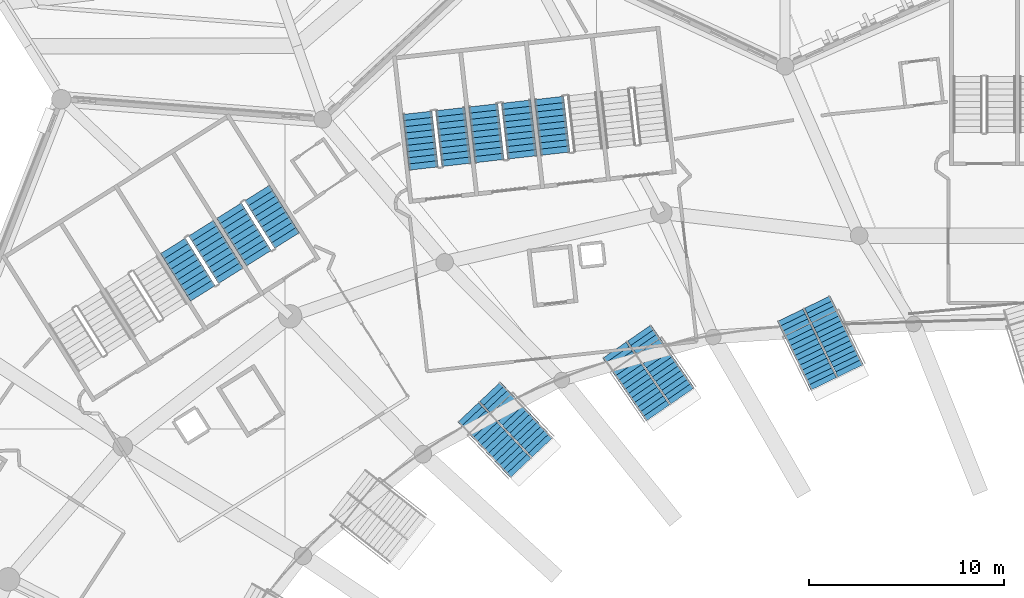
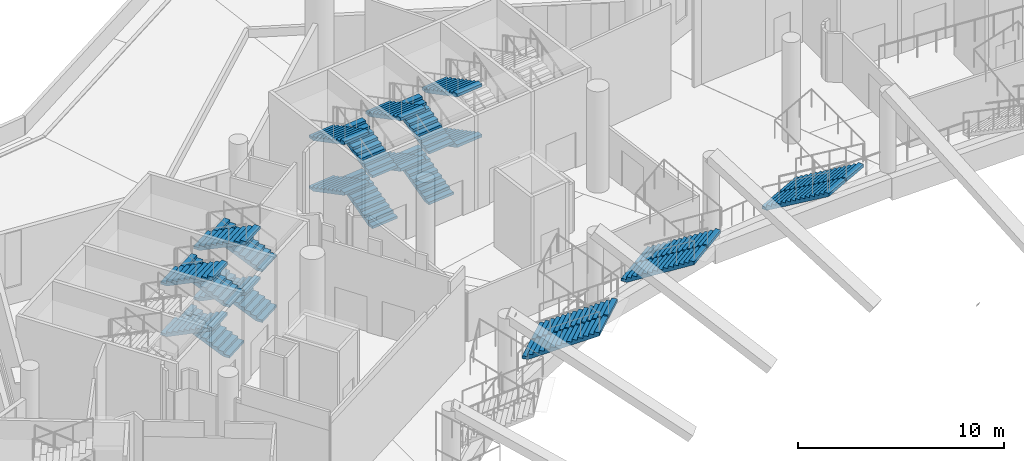
# One storey, part 95 of 173: 24 stair flights, 8 elements without a shape of their own.
"""IFC4 building model written with IfcOpenShell, lengths in metres."""

from ifc_helpers import new_model, si_unit, direction, frame, origin, place, context, subcontext, project, spatial, polyline, outline, extrude, material, type_object, element, aggregate, save


model = new_model("IFC4")

# Units and contexts
model_context = context("Model", 3, precision=1e-05, world=origin(), true_north=direction((0.0, 1.0)))
body_context = subcontext(model_context, "Body", "Model", "MODEL_VIEW")
ifc_project = project(units=[si_unit("LENGTHUNIT", "METRE"), si_unit("AREAUNIT", "SQUARE_METRE"), si_unit("VOLUMEUNIT", "CUBIC_METRE"), si_unit("PLANEANGLEUNIT", "RADIAN"), si_unit("MASSUNIT", "GRAM", prefix="KILO")], contexts=[model_context])

# Site, building, storey
site_placement = place(None, origin())
site = spatial("IfcSite", under=ifc_project, at=site_placement, CompositionType="ELEMENT")
building_placement = place(site_placement, origin())
building = spatial("IfcBuilding", under=site, at=building_placement, Name="Meseta Stadium", CompositionType="ELEMENT")
storey_placement = place(building_placement, frame((0.0, 0.0, 18.0)))
storey = spatial("IfcBuildingStorey", under=building, at=storey_placement, Name="L03", CompositionType="ELEMENT", Elevation=18.0)

# Stair, stair flights
ifc_material_1 = material(Name="Concrete C40/50", Category="concrete")
stair_type_1 = type_object("IfcStairType", Name="Exit stair 4 flights 150 mm risers", PredefinedType="HALF_TURN_STAIR", material=ifc_material_1)
stair_1_placement = place(storey_placement, origin())
stair_1 = element("IfcStair", 1, at=stair_1_placement, inside=storey, type_object=stair_type_1, Name="ST46 L03", PredefinedType="HALF_TURN_STAIR")
ifc_material_2 = material(Name="Concrete C40/50", Category="concrete")
stair_flight_type_1 = type_object("IfcStairFlightType", Name="Exit stair flight 150 mm risers, 4 per storey", PredefinedType="STRAIGHT", material=ifc_material_2)
stair_flight_1_placement = place(storey_placement, frame((-50.437744140625, 96.978515625, 1.5), z_axis=(0.0, 0.0, 1.0), x_axis=(0.11196446867, -0.993712210731, 0.0)))
stair_flight_1 = element("IfcStairFlight", 2, at=stair_flight_1_placement, type_object=stair_flight_type_1, Name="ST46 L03 flight 2", NumberOfRisers=10, NumberOfTreads=9, PredefinedType="STRAIGHT", RiserHeight=0.15, TreadLength=0.32, context=body_context, shape_type="SweptSolid", body=[
    extrude(outline(polyline([(0.0, 0.0), (0.0, 0.14990234375), (0.320068359375, 0.14990234375), (0.320068359375, 0.300048828125), (0.639892578125, 0.300048828125), (0.639892578125, 0.449951171875), (0.9599609375, 0.449951171875), (0.9599609375, 0.60009765625), (1.280029296875, 0.60009765625), (1.280029296875, 0.75), (1.60009765625, 0.75), (1.60009765625, 0.89990234375), (1.919921875, 0.89990234375), (1.919921875, 1.050048828125), (2.239990234375, 1.050048828125), (2.239990234375, 1.199951171875), (2.56005859375, 1.199951171875), (2.56005859375, 1.35009765625), (2.8798828125, 1.35009765625), (2.8798828125, 1.184326171875), (0.353271484375, 0.0), (0.0, 0.0)])), frame((0.0, 0.75, 0.0), z_axis=(0.0, -1.0, 0.0), x_axis=(1.0, 0.0, 0.0)), (0.0, 0.0, 1.0), 1.5),
])
stair_flight_2_placement = place(storey_placement, frame((-50.437744140625, 96.978515625, 4.5), z_axis=(0.0, 0.0, 1.0), x_axis=(0.11196446867, -0.993712210731, 0.0)))
stair_flight_2 = element("IfcStairFlight", 3, at=stair_flight_2_placement, type_object=stair_flight_type_1, Name="ST46 L03 flight 4", NumberOfRisers=10, NumberOfTreads=9, PredefinedType="STRAIGHT", RiserHeight=0.15, TreadLength=0.32, context=body_context, shape_type="SweptSolid", body=[
    extrude(outline(polyline([(0.0, 0.0), (0.0, 0.14990234375), (0.320068359375, 0.14990234375), (0.320068359375, 0.300048828125), (0.639892578125, 0.300048828125), (0.639892578125, 0.449951171875), (0.9599609375, 0.449951171875), (0.9599609375, 0.60009765625), (1.280029296875, 0.60009765625), (1.280029296875, 0.75), (1.60009765625, 0.75), (1.60009765625, 0.89990234375), (1.919921875, 0.89990234375), (1.919921875, 1.050048828125), (2.239990234375, 1.050048828125), (2.239990234375, 1.199951171875), (2.56005859375, 1.199951171875), (2.56005859375, 1.35009765625), (2.8798828125, 1.35009765625), (2.8798828125, 1.184326171875), (0.353271484375, 0.0), (0.0, 0.0)])), frame((0.0, 0.75, 0.0), z_axis=(0.0, -1.0, 0.0), x_axis=(1.0, 0.0, 0.0)), (0.0, 0.0, 1.0), 1.5),
])
aggregate(stair_1, [stair_flight_1, stair_flight_2])

stair_2_placement = place(storey_placement, origin())
stair_2 = element("IfcStair", 4, at=stair_2_placement, inside=storey, type_object=stair_type_1, Name="ST47 L03", PredefinedType="HALF_TURN_STAIR")
stair_flight_3_placement = place(storey_placement, frame((-51.8046875, 93.92626953125, 0.0), z_axis=(0.0, 0.0, 1.0), x_axis=(-0.11196446867, 0.993712210731, 0.0)))
stair_flight_3 = element("IfcStairFlight", 5, at=stair_flight_3_placement, type_object=stair_flight_type_1, Name="ST47 L03 flight 1", NumberOfRisers=10, NumberOfTreads=9, PredefinedType="STRAIGHT", RiserHeight=0.15, TreadLength=0.32, context=body_context, shape_type="SweptSolid", body=[
    extrude(outline(polyline([(0.0, 0.0), (0.0, 0.14990234375), (0.320068359375, 0.14990234375), (0.320068359375, 0.300048828125), (0.639892578125, 0.300048828125), (0.639892578125, 0.449951171875), (0.9599609375, 0.449951171875), (0.9599609375, 0.60009765625), (1.280029296875, 0.60009765625), (1.280029296875, 0.75), (1.60009765625, 0.75), (1.60009765625, 0.89990234375), (1.919921875, 0.89990234375), (1.919921875, 1.050048828125), (2.239990234375, 1.050048828125), (2.239990234375, 1.199951171875), (2.56005859375, 1.199951171875), (2.56005859375, 1.35009765625), (2.8798828125, 1.35009765625), (2.8798828125, 1.184326171875), (0.353271484375, 0.0), (0.0, 0.0)])), frame((0.0, 0.75, 0.0), z_axis=(0.0, -1.0, 0.0), x_axis=(1.0, 0.0, 0.0)), (0.0, 0.0, 1.0), 1.5),
])
stair_flight_4_placement = place(storey_placement, frame((-53.81640625, 96.597900390625, 1.5), z_axis=(0.0, 0.0, 1.0), x_axis=(0.11196446867, -0.993712210731, 0.0)))
stair_flight_4 = element("IfcStairFlight", 6, at=stair_flight_4_placement, type_object=stair_flight_type_1, Name="ST47 L03 flight 2", NumberOfRisers=10, NumberOfTreads=9, PredefinedType="STRAIGHT", RiserHeight=0.15, TreadLength=0.32, context=body_context, shape_type="SweptSolid", body=[
    extrude(outline(polyline([(0.0, 0.0), (0.0, 0.14990234375), (0.320068359375, 0.14990234375), (0.320068359375, 0.300048828125), (0.639892578125, 0.300048828125), (0.639892578125, 0.449951171875), (0.9599609375, 0.449951171875), (0.9599609375, 0.60009765625), (1.280029296875, 0.60009765625), (1.280029296875, 0.75), (1.60009765625, 0.75), (1.60009765625, 0.89990234375), (1.919921875, 0.89990234375), (1.919921875, 1.050048828125), (2.239990234375, 1.050048828125), (2.239990234375, 1.199951171875), (2.56005859375, 1.199951171875), (2.56005859375, 1.35009765625), (2.8798828125, 1.35009765625), (2.8798828125, 1.184326171875), (0.353271484375, 0.0), (0.0, 0.0)])), frame((0.0, 0.75, 0.0), z_axis=(0.0, -1.0, 0.0), x_axis=(1.0, 0.0, 0.0)), (0.0, 0.0, 1.0), 1.5),
])
stair_flight_5_placement = place(storey_placement, frame((-51.8046875, 93.92626953125, 3.0), z_axis=(0.0, 0.0, 1.0), x_axis=(-0.11196446867, 0.993712210731, 0.0)))
stair_flight_5 = element("IfcStairFlight", 7, at=stair_flight_5_placement, type_object=stair_flight_type_1, Name="ST47 L03 flight 3", NumberOfRisers=10, NumberOfTreads=9, PredefinedType="STRAIGHT", RiserHeight=0.15, TreadLength=0.32, context=body_context, shape_type="SweptSolid", body=[
    extrude(outline(polyline([(0.0, 0.0), (0.0, 0.14990234375), (0.320068359375, 0.14990234375), (0.320068359375, 0.300048828125), (0.639892578125, 0.300048828125), (0.639892578125, 0.449951171875), (0.9599609375, 0.449951171875), (0.9599609375, 0.60009765625), (1.280029296875, 0.60009765625), (1.280029296875, 0.75), (1.60009765625, 0.75), (1.60009765625, 0.89990234375), (1.919921875, 0.89990234375), (1.919921875, 1.050048828125), (2.239990234375, 1.050048828125), (2.239990234375, 1.199951171875), (2.56005859375, 1.199951171875), (2.56005859375, 1.35009765625), (2.8798828125, 1.35009765625), (2.8798828125, 1.184326171875), (0.353271484375, 0.0), (0.0, 0.0)])), frame((0.0, 0.75, 0.0), z_axis=(0.0, -1.0, 0.0), x_axis=(1.0, 0.0, 0.0)), (0.0, 0.0, 1.0), 1.5),
])
stair_flight_6_placement = place(storey_placement, frame((-53.81640625, 96.597900390625, 4.5), z_axis=(0.0, 0.0, 1.0), x_axis=(0.11196446867, -0.993712210731, 0.0)))
stair_flight_6 = element("IfcStairFlight", 8, at=stair_flight_6_placement, type_object=stair_flight_type_1, Name="ST47 L03 flight 4", NumberOfRisers=10, NumberOfTreads=9, PredefinedType="STRAIGHT", RiserHeight=0.15, TreadLength=0.32, context=body_context, shape_type="SweptSolid", body=[
    extrude(outline(polyline([(0.0, 0.0), (0.0, 0.14990234375), (0.320068359375, 0.14990234375), (0.320068359375, 0.300048828125), (0.639892578125, 0.300048828125), (0.639892578125, 0.449951171875), (0.9599609375, 0.449951171875), (0.9599609375, 0.60009765625), (1.280029296875, 0.60009765625), (1.280029296875, 0.75), (1.60009765625, 0.75), (1.60009765625, 0.89990234375), (1.919921875, 0.89990234375), (1.919921875, 1.050048828125), (2.239990234375, 1.050048828125), (2.239990234375, 1.199951171875), (2.56005859375, 1.199951171875), (2.56005859375, 1.35009765625), (2.8798828125, 1.35009765625), (2.8798828125, 1.184326171875), (0.353271484375, 0.0), (0.0, 0.0)])), frame((0.0, 0.75, 0.0), z_axis=(0.0, -1.0, 0.0), x_axis=(1.0, 0.0, 0.0)), (0.0, 0.0, 1.0), 1.5),
])
aggregate(stair_2, [stair_flight_3, stair_flight_4, stair_flight_5, stair_flight_6])

stair_3_placement = place(storey_placement, origin())
stair_3 = element("IfcStair", 9, at=stair_3_placement, inside=storey, type_object=stair_type_1, Name="ST48 L03", PredefinedType="HALF_TURN_STAIR")
stair_flight_7_placement = place(storey_placement, frame((-55.183349609375, 93.545654296875, 0.0), z_axis=(0.0, 0.0, 1.0), x_axis=(-0.11196446867, 0.993712210731, 0.0)))
stair_flight_7 = element("IfcStairFlight", 10, at=stair_flight_7_placement, type_object=stair_flight_type_1, Name="ST48 L03 flight 1", NumberOfRisers=10, NumberOfTreads=9, PredefinedType="STRAIGHT", RiserHeight=0.15, TreadLength=0.32, context=body_context, shape_type="SweptSolid", body=[
    extrude(outline(polyline([(0.0, 0.0), (0.0, 0.14990234375), (0.320068359375, 0.14990234375), (0.320068359375, 0.300048828125), (0.639892578125, 0.300048828125), (0.639892578125, 0.449951171875), (0.9599609375, 0.449951171875), (0.9599609375, 0.60009765625), (1.280029296875, 0.60009765625), (1.280029296875, 0.75), (1.60009765625, 0.75), (1.60009765625, 0.89990234375), (1.919921875, 0.89990234375), (1.919921875, 1.050048828125), (2.239990234375, 1.050048828125), (2.239990234375, 1.199951171875), (2.56005859375, 1.199951171875), (2.56005859375, 1.35009765625), (2.8798828125, 1.35009765625), (2.8798828125, 1.184326171875), (0.353271484375, 0.0), (0.0, 0.0)])), frame((0.0, 0.75, 0.0), z_axis=(0.0, -1.0, 0.0), x_axis=(1.0, 0.0, 0.0)), (0.0, 0.0, 1.0), 1.5),
])
stair_flight_8_placement = place(storey_placement, frame((-57.195068359375, 96.217041015625, 1.5), z_axis=(0.0, 0.0, 1.0), x_axis=(0.11196446867, -0.993712210731, 0.0)))
stair_flight_8 = element("IfcStairFlight", 11, at=stair_flight_8_placement, type_object=stair_flight_type_1, Name="ST48 L03 flight 2", NumberOfRisers=10, NumberOfTreads=9, PredefinedType="STRAIGHT", RiserHeight=0.15, TreadLength=0.32, context=body_context, shape_type="SweptSolid", body=[
    extrude(outline(polyline([(0.0, 0.0), (0.0, 0.14990234375), (0.320068359375, 0.14990234375), (0.320068359375, 0.300048828125), (0.639892578125, 0.300048828125), (0.639892578125, 0.449951171875), (0.9599609375, 0.449951171875), (0.9599609375, 0.60009765625), (1.280029296875, 0.60009765625), (1.280029296875, 0.75), (1.60009765625, 0.75), (1.60009765625, 0.89990234375), (1.919921875, 0.89990234375), (1.919921875, 1.050048828125), (2.239990234375, 1.050048828125), (2.239990234375, 1.199951171875), (2.56005859375, 1.199951171875), (2.56005859375, 1.35009765625), (2.8798828125, 1.35009765625), (2.8798828125, 1.184326171875), (0.353271484375, 0.0), (0.0, 0.0)])), frame((0.0, 0.75, 0.0), z_axis=(0.0, -1.0, 0.0), x_axis=(1.0, 0.0, 0.0)), (0.0, 0.0, 1.0), 1.5),
])
stair_flight_9_placement = place(storey_placement, frame((-55.183349609375, 93.545654296875, 3.0), z_axis=(0.0, 0.0, 1.0), x_axis=(-0.11196446867, 0.993712210731, 0.0)))
stair_flight_9 = element("IfcStairFlight", 12, at=stair_flight_9_placement, type_object=stair_flight_type_1, Name="ST48 L03 flight 3", NumberOfRisers=10, NumberOfTreads=9, PredefinedType="STRAIGHT", RiserHeight=0.15, TreadLength=0.32, context=body_context, shape_type="SweptSolid", body=[
    extrude(outline(polyline([(0.0, 0.0), (0.0, 0.14990234375), (0.320068359375, 0.14990234375), (0.320068359375, 0.300048828125), (0.639892578125, 0.300048828125), (0.639892578125, 0.449951171875), (0.9599609375, 0.449951171875), (0.9599609375, 0.60009765625), (1.280029296875, 0.60009765625), (1.280029296875, 0.75), (1.60009765625, 0.75), (1.60009765625, 0.89990234375), (1.919921875, 0.89990234375), (1.919921875, 1.050048828125), (2.239990234375, 1.050048828125), (2.239990234375, 1.199951171875), (2.56005859375, 1.199951171875), (2.56005859375, 1.35009765625), (2.8798828125, 1.35009765625), (2.8798828125, 1.184326171875), (0.353271484375, 0.0), (0.0, 0.0)])), frame((0.0, 0.75, 0.0), z_axis=(0.0, -1.0, 0.0), x_axis=(1.0, 0.0, 0.0)), (0.0, 0.0, 1.0), 1.5),
])
stair_flight_10_placement = place(storey_placement, frame((-57.195068359375, 96.217041015625, 4.5), z_axis=(0.0, 0.0, 1.0), x_axis=(0.11196446867, -0.993712210731, 0.0)))
stair_flight_10 = element("IfcStairFlight", 13, at=stair_flight_10_placement, type_object=stair_flight_type_1, Name="ST48 L03 flight 4", NumberOfRisers=10, NumberOfTreads=9, PredefinedType="STRAIGHT", RiserHeight=0.15, TreadLength=0.32, context=body_context, shape_type="SweptSolid", body=[
    extrude(outline(polyline([(0.0, 0.0), (0.0, 0.14990234375), (0.320068359375, 0.14990234375), (0.320068359375, 0.300048828125), (0.639892578125, 0.300048828125), (0.639892578125, 0.449951171875), (0.9599609375, 0.449951171875), (0.9599609375, 0.60009765625), (1.280029296875, 0.60009765625), (1.280029296875, 0.75), (1.60009765625, 0.75), (1.60009765625, 0.89990234375), (1.919921875, 0.89990234375), (1.919921875, 1.050048828125), (2.239990234375, 1.050048828125), (2.239990234375, 1.199951171875), (2.56005859375, 1.199951171875), (2.56005859375, 1.35009765625), (2.8798828125, 1.35009765625), (2.8798828125, 1.184326171875), (0.353271484375, 0.0), (0.0, 0.0)])), frame((0.0, 0.75, 0.0), z_axis=(0.0, -1.0, 0.0), x_axis=(1.0, 0.0, 0.0)), (0.0, 0.0, 1.0), 1.5),
])
aggregate(stair_3, [stair_flight_7, stair_flight_8, stair_flight_9, stair_flight_10])

stair_4_placement = place(storey_placement, origin())
stair_4 = element("IfcStair", 14, at=stair_4_placement, inside=storey, type_object=stair_type_1, Name="ST49 L03", PredefinedType="HALF_TURN_STAIR")
stair_flight_11_placement = place(storey_placement, frame((-63.892578125, 89.659423828125, 0.0), z_axis=(0.0, 0.0, 1.0), x_axis=(-0.532032074404, 0.846724200555, 0.0)))
stair_flight_11 = element("IfcStairFlight", 15, at=stair_flight_11_placement, type_object=stair_flight_type_1, Name="ST49 L03 flight 1", NumberOfRisers=10, NumberOfTreads=9, PredefinedType="STRAIGHT", RiserHeight=0.15, TreadLength=0.32, context=body_context, shape_type="SweptSolid", body=[
    extrude(outline(polyline([(0.0, 0.0), (0.0, 0.14990234375), (0.320068359375, 0.14990234375), (0.320068359375, 0.300048828125), (0.639892578125, 0.300048828125), (0.639892578125, 0.449951171875), (0.9599609375, 0.449951171875), (0.9599609375, 0.60009765625), (1.280029296875, 0.60009765625), (1.280029296875, 0.75), (1.60009765625, 0.75), (1.60009765625, 0.89990234375), (1.919921875, 0.89990234375), (1.919921875, 1.050048828125), (2.239990234375, 1.050048828125), (2.239990234375, 1.199951171875), (2.56005859375, 1.199951171875), (2.56005859375, 1.35009765625), (2.8798828125, 1.35009765625), (2.8798828125, 1.184326171875), (0.353271484375, 0.0), (0.0, 0.0)])), frame((0.0, 0.75, 0.0), z_axis=(0.0, -1.0, 0.0), x_axis=(1.0, 0.0, 0.0)), (0.0, 0.0, 1.0), 1.5),
])
stair_flight_12_placement = place(storey_placement, frame((-66.8642578125, 91.193603515625, 1.5), z_axis=(0.0, 0.0, 1.0), x_axis=(0.532032074404, -0.846724200555, 0.0)))
stair_flight_12 = element("IfcStairFlight", 16, at=stair_flight_12_placement, type_object=stair_flight_type_1, Name="ST49 L03 flight 2", NumberOfRisers=10, NumberOfTreads=9, PredefinedType="STRAIGHT", RiserHeight=0.15, TreadLength=0.32, context=body_context, shape_type="SweptSolid", body=[
    extrude(outline(polyline([(0.0, 0.0), (0.0, 0.14990234375), (0.320068359375, 0.14990234375), (0.320068359375, 0.300048828125), (0.639892578125, 0.300048828125), (0.639892578125, 0.449951171875), (0.9599609375, 0.449951171875), (0.9599609375, 0.60009765625), (1.280029296875, 0.60009765625), (1.280029296875, 0.75), (1.60009765625, 0.75), (1.60009765625, 0.89990234375), (1.919921875, 0.89990234375), (1.919921875, 1.050048828125), (2.239990234375, 1.050048828125), (2.239990234375, 1.199951171875), (2.56005859375, 1.199951171875), (2.56005859375, 1.35009765625), (2.8798828125, 1.35009765625), (2.8798828125, 1.184326171875), (0.353271484375, 0.0), (0.0, 0.0)])), frame((0.0, 0.75, 0.0), z_axis=(0.0, -1.0, 0.0), x_axis=(1.0, 0.0, 0.0)), (0.0, 0.0, 1.0), 1.5),
])
stair_flight_13_placement = place(storey_placement, frame((-63.892578125, 89.659423828125, 3.0), z_axis=(0.0, 0.0, 1.0), x_axis=(-0.532032074404, 0.846724200555, 0.0)))
stair_flight_13 = element("IfcStairFlight", 17, at=stair_flight_13_placement, type_object=stair_flight_type_1, Name="ST49 L03 flight 3", NumberOfRisers=10, NumberOfTreads=9, PredefinedType="STRAIGHT", RiserHeight=0.15, TreadLength=0.32, context=body_context, shape_type="SweptSolid", body=[
    extrude(outline(polyline([(0.0, 0.0), (0.0, 0.14990234375), (0.320068359375, 0.14990234375), (0.320068359375, 0.300048828125), (0.639892578125, 0.300048828125), (0.639892578125, 0.449951171875), (0.9599609375, 0.449951171875), (0.9599609375, 0.60009765625), (1.280029296875, 0.60009765625), (1.280029296875, 0.75), (1.60009765625, 0.75), (1.60009765625, 0.89990234375), (1.919921875, 0.89990234375), (1.919921875, 1.050048828125), (2.239990234375, 1.050048828125), (2.239990234375, 1.199951171875), (2.56005859375, 1.199951171875), (2.56005859375, 1.35009765625), (2.8798828125, 1.35009765625), (2.8798828125, 1.184326171875), (0.353271484375, 0.0), (0.0, 0.0)])), frame((0.0, 0.75, 0.0), z_axis=(0.0, -1.0, 0.0), x_axis=(1.0, 0.0, 0.0)), (0.0, 0.0, 1.0), 1.5),
])
stair_flight_14_placement = place(storey_placement, frame((-66.8642578125, 91.193603515625, 4.5), z_axis=(0.0, 0.0, 1.0), x_axis=(0.532032074404, -0.846724200555, 0.0)))
stair_flight_14 = element("IfcStairFlight", 18, at=stair_flight_14_placement, type_object=stair_flight_type_1, Name="ST49 L03 flight 4", NumberOfRisers=10, NumberOfTreads=9, PredefinedType="STRAIGHT", RiserHeight=0.15, TreadLength=0.32, context=body_context, shape_type="SweptSolid", body=[
    extrude(outline(polyline([(0.0, 0.0), (0.0, 0.14990234375), (0.320068359375, 0.14990234375), (0.320068359375, 0.300048828125), (0.639892578125, 0.300048828125), (0.639892578125, 0.449951171875), (0.9599609375, 0.449951171875), (0.9599609375, 0.60009765625), (1.280029296875, 0.60009765625), (1.280029296875, 0.75), (1.60009765625, 0.75), (1.60009765625, 0.89990234375), (1.919921875, 0.89990234375), (1.919921875, 1.050048828125), (2.239990234375, 1.050048828125), (2.239990234375, 1.199951171875), (2.56005859375, 1.199951171875), (2.56005859375, 1.35009765625), (2.8798828125, 1.35009765625), (2.8798828125, 1.184326171875), (0.353271484375, 0.0), (0.0, 0.0)])), frame((0.0, 0.75, 0.0), z_axis=(0.0, -1.0, 0.0), x_axis=(1.0, 0.0, 0.0)), (0.0, 0.0, 1.0), 1.5),
])
aggregate(stair_4, [stair_flight_11, stair_flight_12, stair_flight_13, stair_flight_14])

stair_5_placement = place(storey_placement, origin())
stair_5 = element("IfcStair", 19, at=stair_5_placement, inside=storey, type_object=stair_type_1, Name="ST50 L03", PredefinedType="HALF_TURN_STAIR")
stair_flight_15_placement = place(storey_placement, frame((-66.771484375, 87.8505859375, 0.0), z_axis=(0.0, 0.0, 1.0), x_axis=(-0.532032074404, 0.846724200555, 0.0)))
stair_flight_15 = element("IfcStairFlight", 20, at=stair_flight_15_placement, type_object=stair_flight_type_1, Name="ST50 L03 flight 1", NumberOfRisers=10, NumberOfTreads=9, PredefinedType="STRAIGHT", RiserHeight=0.15, TreadLength=0.32, context=body_context, shape_type="SweptSolid", body=[
    extrude(outline(polyline([(0.0, 0.0), (0.0, 0.14990234375), (0.320068359375, 0.14990234375), (0.320068359375, 0.300048828125), (0.639892578125, 0.300048828125), (0.639892578125, 0.449951171875), (0.9599609375, 0.449951171875), (0.9599609375, 0.60009765625), (1.280029296875, 0.60009765625), (1.280029296875, 0.75), (1.60009765625, 0.75), (1.60009765625, 0.89990234375), (1.919921875, 0.89990234375), (1.919921875, 1.050048828125), (2.239990234375, 1.050048828125), (2.239990234375, 1.199951171875), (2.56005859375, 1.199951171875), (2.56005859375, 1.35009765625), (2.8798828125, 1.35009765625), (2.8798828125, 1.184326171875), (0.353271484375, 0.0), (0.0, 0.0)])), frame((0.0, 0.75, 0.0), z_axis=(0.0, -1.0, 0.0), x_axis=(1.0, 0.0, 0.0)), (0.0, 0.0, 1.0), 1.5),
])
stair_flight_16_placement = place(storey_placement, frame((-69.7431640625, 89.384521484375, 1.5), z_axis=(0.0, 0.0, 1.0), x_axis=(0.532032074404, -0.846724200555, 0.0)))
stair_flight_16 = element("IfcStairFlight", 21, at=stair_flight_16_placement, type_object=stair_flight_type_1, Name="ST50 L03 flight 2", NumberOfRisers=10, NumberOfTreads=9, PredefinedType="STRAIGHT", RiserHeight=0.15, TreadLength=0.32, context=body_context, shape_type="SweptSolid", body=[
    extrude(outline(polyline([(0.0, 0.0), (0.0, 0.14990234375), (0.320068359375, 0.14990234375), (0.320068359375, 0.300048828125), (0.639892578125, 0.300048828125), (0.639892578125, 0.449951171875), (0.9599609375, 0.449951171875), (0.9599609375, 0.60009765625), (1.280029296875, 0.60009765625), (1.280029296875, 0.75), (1.60009765625, 0.75), (1.60009765625, 0.89990234375), (1.919921875, 0.89990234375), (1.919921875, 1.050048828125), (2.239990234375, 1.050048828125), (2.239990234375, 1.199951171875), (2.56005859375, 1.199951171875), (2.56005859375, 1.35009765625), (2.8798828125, 1.35009765625), (2.8798828125, 1.184326171875), (0.353271484375, 0.0), (0.0, 0.0)])), frame((0.0, 0.75, 0.0), z_axis=(0.0, -1.0, 0.0), x_axis=(1.0, 0.0, 0.0)), (0.0, 0.0, 1.0), 1.5),
])
stair_flight_17_placement = place(storey_placement, frame((-66.771484375, 87.8505859375, 3.0), z_axis=(0.0, 0.0, 1.0), x_axis=(-0.532032074404, 0.846724200555, 0.0)))
stair_flight_17 = element("IfcStairFlight", 22, at=stair_flight_17_placement, type_object=stair_flight_type_1, Name="ST50 L03 flight 3", NumberOfRisers=10, NumberOfTreads=9, PredefinedType="STRAIGHT", RiserHeight=0.15, TreadLength=0.32, context=body_context, shape_type="SweptSolid", body=[
    extrude(outline(polyline([(0.0, 0.0), (0.0, 0.14990234375), (0.320068359375, 0.14990234375), (0.320068359375, 0.300048828125), (0.639892578125, 0.300048828125), (0.639892578125, 0.449951171875), (0.9599609375, 0.449951171875), (0.9599609375, 0.60009765625), (1.280029296875, 0.60009765625), (1.280029296875, 0.75), (1.60009765625, 0.75), (1.60009765625, 0.89990234375), (1.919921875, 0.89990234375), (1.919921875, 1.050048828125), (2.239990234375, 1.050048828125), (2.239990234375, 1.199951171875), (2.56005859375, 1.199951171875), (2.56005859375, 1.35009765625), (2.8798828125, 1.35009765625), (2.8798828125, 1.184326171875), (0.353271484375, 0.0), (0.0, 0.0)])), frame((0.0, 0.75, 0.0), z_axis=(0.0, -1.0, 0.0), x_axis=(1.0, 0.0, 0.0)), (0.0, 0.0, 1.0), 1.5),
])
stair_flight_18_placement = place(storey_placement, frame((-69.7431640625, 89.384521484375, 4.5), z_axis=(0.0, 0.0, 1.0), x_axis=(0.532032074404, -0.846724200555, 0.0)))
stair_flight_18 = element("IfcStairFlight", 23, at=stair_flight_18_placement, type_object=stair_flight_type_1, Name="ST50 L03 flight 4", NumberOfRisers=10, NumberOfTreads=9, PredefinedType="STRAIGHT", RiserHeight=0.15, TreadLength=0.32, context=body_context, shape_type="SweptSolid", body=[
    extrude(outline(polyline([(0.0, 0.0), (0.0, 0.14990234375), (0.320068359375, 0.14990234375), (0.320068359375, 0.300048828125), (0.639892578125, 0.300048828125), (0.639892578125, 0.449951171875), (0.9599609375, 0.449951171875), (0.9599609375, 0.60009765625), (1.280029296875, 0.60009765625), (1.280029296875, 0.75), (1.60009765625, 0.75), (1.60009765625, 0.89990234375), (1.919921875, 0.89990234375), (1.919921875, 1.050048828125), (2.239990234375, 1.050048828125), (2.239990234375, 1.199951171875), (2.56005859375, 1.199951171875), (2.56005859375, 1.35009765625), (2.8798828125, 1.35009765625), (2.8798828125, 1.184326171875), (0.353271484375, 0.0), (0.0, 0.0)])), frame((0.0, 0.75, 0.0), z_axis=(0.0, -1.0, 0.0), x_axis=(1.0, 0.0, 0.0)), (0.0, 0.0, 1.0), 1.5),
])
aggregate(stair_5, [stair_flight_15, stair_flight_16, stair_flight_17, stair_flight_18])

ifc_material_3 = material(Name="Concrete C40/50", Category="concrete")
stair_type_2 = type_object("IfcStairType", Name="Vomitory stair 3000", PredefinedType="STRAIGHT_RUN_STAIR", material=ifc_material_3)
stair_6_placement = place(storey_placement, origin())
stair_6 = element("IfcStair", 24, at=stair_6_placement, inside=storey, type_object=stair_type_2, Name="Vomitory V-upper-22", PredefinedType="STRAIGHT_RUN_STAIR")
ifc_material_4 = material(Name="Concrete C40/50", Category="concrete")
stair_flight_type_2 = type_object("IfcStairFlightType", Name="Vomitory stair flight 1450", PredefinedType="STRAIGHT", material=ifc_material_4)
stair_flight_19_placement = place(storey_placement, frame((-36.678466796875, 86.50341796875, 0.0), z_axis=(0.0, 0.0, 1.0), x_axis=(0.437966379942, -0.898991351483, 0.0)))
stair_flight_19 = element("IfcStairFlight", 25, at=stair_flight_19_placement, type_object=stair_flight_type_2, Name="Vomitory V-upper-22 flight 1", NumberOfRisers=15, NumberOfTreads=14, PredefinedType="STRAIGHT", RiserHeight=0.173281, TreadLength=0.28, context=body_context, shape_type="SweptSolid", body=[
    extrude(outline(polyline([(0.0, 0.0), (0.0, 0.17333984375), (0.280029296875, 0.17333984375), (0.280029296875, 0.3466796875), (0.56005859375, 0.3466796875), (0.56005859375, 0.519775390625), (0.840087890625, 0.519775390625), (0.840087890625, 0.693115234375), (1.1201171875, 0.693115234375), (1.1201171875, 0.866455078125), (1.39990234375, 0.866455078125), (1.39990234375, 1.039794921875), (1.679931640625, 1.039794921875), (1.679931640625, 1.212890625), (1.9599609375, 1.212890625), (1.9599609375, 1.38623046875), (2.239990234375, 1.38623046875), (2.239990234375, 1.5595703125), (2.52001953125, 1.5595703125), (2.52001953125, 1.73291015625), (2.800048828125, 1.73291015625), (2.800048828125, 1.906005859375), (3.080078125, 1.906005859375), (3.080078125, 2.079345703125), (3.360107421875, 2.079345703125), (3.360107421875, 2.252685546875), (3.639892578125, 2.252685546875), (3.639892578125, 2.426025390625), (3.919921875, 2.426025390625), (3.919921875, 2.249755859375), (0.284912109375, 0.0), (0.0, 0.0)])), frame((0.0, 0.72509765625, 0.0), z_axis=(0.0, -1.0, 0.0), x_axis=(1.0, 0.0, 0.0)), (0.0, 0.0, 1.0), 1.449951171875),
])
stair_flight_20_placement = place(storey_placement, frame((-38.072021484375, 85.824462890625, 0.0), z_axis=(0.0, 0.0, 1.0), x_axis=(0.437966379942, -0.898991351483, 0.0)))
stair_flight_20 = element("IfcStairFlight", 26, at=stair_flight_20_placement, type_object=stair_flight_type_2, Name="Vomitory V-upper-22 flight 2", NumberOfRisers=15, NumberOfTreads=14, PredefinedType="STRAIGHT", RiserHeight=0.173281, TreadLength=0.28, context=body_context, shape_type="SweptSolid", body=[
    extrude(outline(polyline([(0.0, 0.0), (0.0, 0.17333984375), (0.280029296875, 0.17333984375), (0.280029296875, 0.3466796875), (0.56005859375, 0.3466796875), (0.56005859375, 0.519775390625), (0.840087890625, 0.519775390625), (0.840087890625, 0.693115234375), (1.1201171875, 0.693115234375), (1.1201171875, 0.866455078125), (1.39990234375, 0.866455078125), (1.39990234375, 1.039794921875), (1.679931640625, 1.039794921875), (1.679931640625, 1.212890625), (1.9599609375, 1.212890625), (1.9599609375, 1.38623046875), (2.239990234375, 1.38623046875), (2.239990234375, 1.5595703125), (2.52001953125, 1.5595703125), (2.52001953125, 1.73291015625), (2.800048828125, 1.73291015625), (2.800048828125, 1.906005859375), (3.080078125, 1.906005859375), (3.080078125, 2.079345703125), (3.360107421875, 2.079345703125), (3.360107421875, 2.252685546875), (3.639892578125, 2.252685546875), (3.639892578125, 2.426025390625), (3.919921875, 2.426025390625), (3.919921875, 2.249755859375), (0.284912109375, 0.0), (0.0, 0.0)])), frame((0.0, 0.72509765625, 0.0), z_axis=(0.0, -1.0, 0.0), x_axis=(1.0, 0.0, 0.0)), (0.0, 0.0, 1.0), 1.449951171875),
])
aggregate(stair_6, [stair_flight_19, stair_flight_20])

stair_7_placement = place(storey_placement, origin())
stair_7 = element("IfcStair", 27, at=stair_7_placement, inside=storey, type_object=stair_type_2, Name="Vomitory V-upper-23", PredefinedType="STRAIGHT_RUN_STAIR")
stair_flight_21_placement = place(storey_placement, frame((-45.812255859375, 84.91552734375, 0.0), z_axis=(0.0, 0.0, 1.0), x_axis=(0.567899772853, -0.82309771473, 0.0)))
stair_flight_21 = element("IfcStairFlight", 28, at=stair_flight_21_placement, type_object=stair_flight_type_2, Name="Vomitory V-upper-23 flight 1", NumberOfRisers=15, NumberOfTreads=14, PredefinedType="STRAIGHT", RiserHeight=0.164766, TreadLength=0.28, context=body_context, shape_type="SweptSolid", body=[
    extrude(outline(polyline([(0.0, 0.0), (0.0, 0.164794921875), (0.280029296875, 0.164794921875), (0.280029296875, 0.32958984375), (0.56005859375, 0.32958984375), (0.56005859375, 0.494384765625), (0.840087890625, 0.494384765625), (0.840087890625, 0.6591796875), (1.1201171875, 0.6591796875), (1.1201171875, 0.82373046875), (1.39990234375, 0.82373046875), (1.39990234375, 0.988525390625), (1.679931640625, 0.988525390625), (1.679931640625, 1.1533203125), (1.9599609375, 1.1533203125), (1.9599609375, 1.318115234375), (2.239990234375, 1.318115234375), (2.239990234375, 1.48291015625), (2.52001953125, 1.48291015625), (2.52001953125, 1.647705078125), (2.800048828125, 1.647705078125), (2.800048828125, 1.8125), (3.080078125, 1.8125), (3.080078125, 1.977294921875), (3.360107421875, 1.977294921875), (3.360107421875, 2.141845703125), (3.639892578125, 2.141845703125), (3.639892578125, 2.306640625), (3.919921875, 2.306640625), (3.919921875, 2.1328125), (0.295654296875, 0.0), (0.0, 0.0)])), frame((0.0, 0.72509765625, 0.0), z_axis=(0.0, -1.0, 0.0), x_axis=(1.0, 0.0, 0.0)), (0.0, 0.0, 1.0), 1.449951171875),
])
stair_flight_22_placement = place(storey_placement, frame((-47.088134765625, 84.03515625, 0.0), z_axis=(0.0, 0.0, 1.0), x_axis=(0.567899772853, -0.82309771473, 0.0)))
stair_flight_22 = element("IfcStairFlight", 29, at=stair_flight_22_placement, type_object=stair_flight_type_2, Name="Vomitory V-upper-23 flight 2", NumberOfRisers=15, NumberOfTreads=14, PredefinedType="STRAIGHT", RiserHeight=0.164766, TreadLength=0.28, context=body_context, shape_type="SweptSolid", body=[
    extrude(outline(polyline([(0.0, 0.0), (0.0, 0.164794921875), (0.280029296875, 0.164794921875), (0.280029296875, 0.32958984375), (0.56005859375, 0.32958984375), (0.56005859375, 0.494384765625), (0.840087890625, 0.494384765625), (0.840087890625, 0.6591796875), (1.1201171875, 0.6591796875), (1.1201171875, 0.82373046875), (1.39990234375, 0.82373046875), (1.39990234375, 0.988525390625), (1.679931640625, 0.988525390625), (1.679931640625, 1.1533203125), (1.9599609375, 1.1533203125), (1.9599609375, 1.318115234375), (2.239990234375, 1.318115234375), (2.239990234375, 1.48291015625), (2.52001953125, 1.48291015625), (2.52001953125, 1.647705078125), (2.800048828125, 1.647705078125), (2.800048828125, 1.8125), (3.080078125, 1.8125), (3.080078125, 1.977294921875), (3.360107421875, 1.977294921875), (3.360107421875, 2.141845703125), (3.639892578125, 2.141845703125), (3.639892578125, 2.306640625), (3.919921875, 2.306640625), (3.919921875, 2.1328125), (0.295654296875, 0.0), (0.0, 0.0)])), frame((0.0, 0.72509765625, 0.0), z_axis=(0.0, -1.0, 0.0), x_axis=(1.0, 0.0, 0.0)), (0.0, 0.0, 1.0), 1.449951171875),
])
aggregate(stair_7, [stair_flight_21, stair_flight_22])

stair_8_placement = place(storey_placement, origin())
stair_8 = element("IfcStair", 30, at=stair_8_placement, inside=storey, type_object=stair_type_2, Name="Vomitory V-upper-24", PredefinedType="STRAIGHT_RUN_STAIR")
stair_flight_23_placement = place(storey_placement, frame((-53.46826171875, 81.90185546875, 0.0), z_axis=(0.0, 0.0, 1.0), x_axis=(0.686064733008, -0.72754050205, 0.0)))
stair_flight_23 = element("IfcStairFlight", 31, at=stair_flight_23_placement, type_object=stair_flight_type_2, Name="Vomitory V-upper-24 flight 1", NumberOfRisers=15, NumberOfTreads=14, PredefinedType="STRAIGHT", RiserHeight=0.164873, TreadLength=0.28, context=body_context, shape_type="SweptSolid", body=[
    extrude(outline(polyline([(0.0, 0.0), (0.0, 0.164794921875), (0.280029296875, 0.164794921875), (0.280029296875, 0.329833984375), (0.56005859375, 0.329833984375), (0.56005859375, 0.49462890625), (0.840087890625, 0.49462890625), (0.840087890625, 0.659423828125), (1.1201171875, 0.659423828125), (1.1201171875, 0.824462890625), (1.39990234375, 0.824462890625), (1.39990234375, 0.9892578125), (1.679931640625, 0.9892578125), (1.679931640625, 1.154052734375), (1.9599609375, 1.154052734375), (1.9599609375, 1.319091796875), (2.239990234375, 1.319091796875), (2.239990234375, 1.48388671875), (2.52001953125, 1.48388671875), (2.52001953125, 1.648681640625), (2.800048828125, 1.648681640625), (2.800048828125, 1.813720703125), (3.080078125, 1.813720703125), (3.080078125, 1.978515625), (3.360107421875, 1.978515625), (3.360107421875, 2.143310546875), (3.639892578125, 2.143310546875), (3.639892578125, 2.30810546875), (3.919921875, 2.30810546875), (3.919921875, 2.13427734375), (0.29541015625, 0.0), (0.0, 0.0)])), frame((0.0, 0.72509765625, 0.0), z_axis=(0.0, -1.0, 0.0), x_axis=(1.0, 0.0, 0.0)), (0.0, 0.0, 1.0), 1.449951171875),
])
stair_flight_24_placement = place(storey_placement, frame((-54.595947265625, 80.83837890625, 0.0), z_axis=(0.0, 0.0, 1.0), x_axis=(0.686064733008, -0.72754050205, 0.0)))
stair_flight_24 = element("IfcStairFlight", 32, at=stair_flight_24_placement, type_object=stair_flight_type_2, Name="Vomitory V-upper-24 flight 2", NumberOfRisers=15, NumberOfTreads=14, PredefinedType="STRAIGHT", RiserHeight=0.164873, TreadLength=0.28, context=body_context, shape_type="SweptSolid", body=[
    extrude(outline(polyline([(0.0, 0.0), (0.0, 0.164794921875), (0.280029296875, 0.164794921875), (0.280029296875, 0.329833984375), (0.56005859375, 0.329833984375), (0.56005859375, 0.49462890625), (0.840087890625, 0.49462890625), (0.840087890625, 0.659423828125), (1.1201171875, 0.659423828125), (1.1201171875, 0.824462890625), (1.39990234375, 0.824462890625), (1.39990234375, 0.9892578125), (1.679931640625, 0.9892578125), (1.679931640625, 1.154052734375), (1.9599609375, 1.154052734375), (1.9599609375, 1.319091796875), (2.239990234375, 1.319091796875), (2.239990234375, 1.48388671875), (2.52001953125, 1.48388671875), (2.52001953125, 1.648681640625), (2.800048828125, 1.648681640625), (2.800048828125, 1.813720703125), (3.080078125, 1.813720703125), (3.080078125, 1.978515625), (3.360107421875, 1.978515625), (3.360107421875, 2.143310546875), (3.639892578125, 2.143310546875), (3.639892578125, 2.30810546875), (3.919921875, 2.30810546875), (3.919921875, 2.13427734375), (0.29541015625, 0.0), (0.0, 0.0)])), frame((0.0, 0.72509765625, 0.0), z_axis=(0.0, -1.0, 0.0), x_axis=(1.0, 0.0, 0.0)), (0.0, 0.0, 1.0), 1.449951171875),
])
aggregate(stair_8, [stair_flight_23, stair_flight_24])

save(model, "model.ifc")
